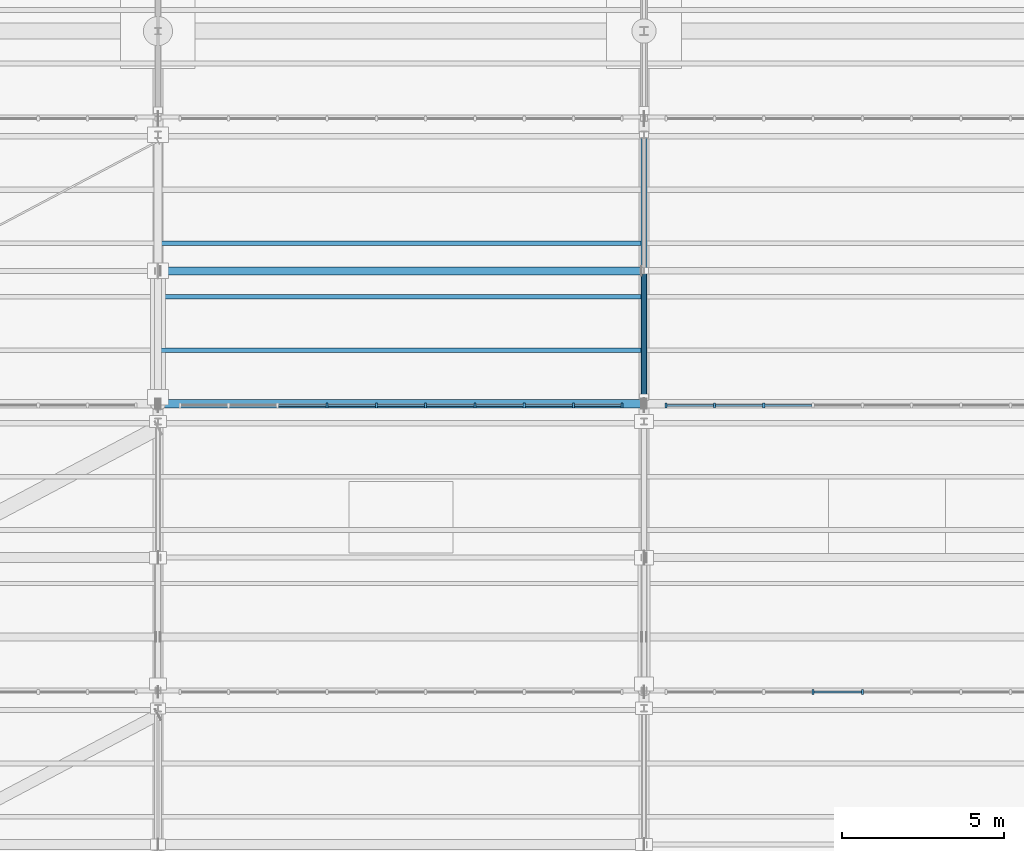
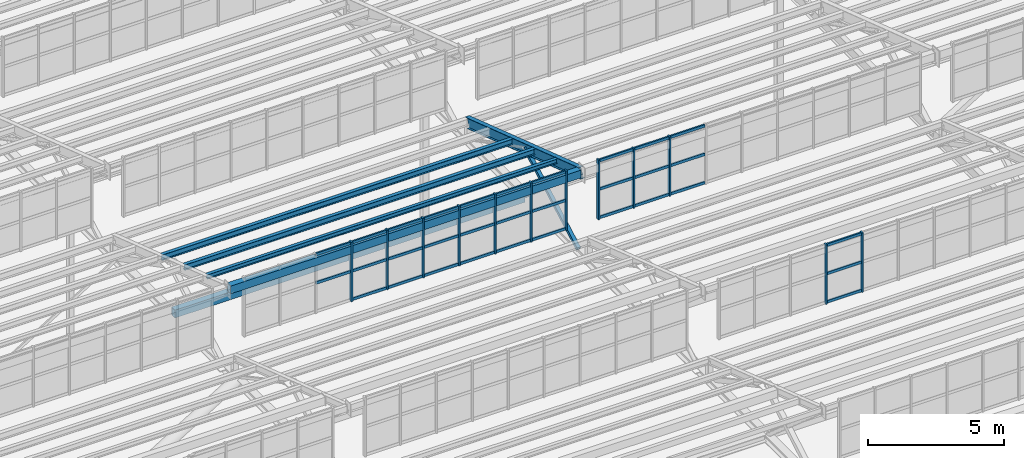
# One storey, part 77 of 285: 47 members, 5 beams, 3 elements without a shape of their own.
"""IFC4 building model written with IfcOpenShell, lengths in metres."""

from ifc_helpers import new_model, si_unit, direction, frame, origin, origin_2d, place, context, subcontext, project, spatial, rectangle, hollow_rectangle, i_section, extrude, material, material_profile, profile_set, type_object, element, aggregate, save


model = new_model("IFC4")

# Units and contexts
model_context = context("Model", 3, precision=1e-05, world=origin(), true_north=direction((0.0, 1.0)))
body_context = subcontext(model_context, "Body", "Model", "MODEL_VIEW")
ifc_project = project(units=[si_unit("LENGTHUNIT", "METRE"), si_unit("AREAUNIT", "SQUARE_METRE"), si_unit("VOLUMEUNIT", "CUBIC_METRE"), si_unit("PLANEANGLEUNIT", "RADIAN"), si_unit("MASSUNIT", "GRAM", prefix="KILO")], contexts=[model_context])

# Site, building, storey
site_placement = place(None, origin())
site = spatial("IfcSite", under=ifc_project, at=site_placement, CompositionType="ELEMENT")
building_placement = place(site_placement, origin())
building = spatial("IfcBuilding", under=site, at=building_placement, Name="Solanera Park Tramway Depot", CompositionType="ELEMENT")
storey_placement = place(building_placement, origin())
storey = spatial("IfcBuildingStorey", under=building, at=storey_placement, Name="L00", CompositionType="ELEMENT", Elevation=0.0)

# Curtain wall, members
ifc_material_1 = material(Name="Bronze-anodised thermally broken aluminium curtain wall", Category="aluminium")
curtain_wall_type = type_object("IfcCurtainWallType", Name="Sawtooth Clerestory Monitor Curtain Wall", PredefinedType="NOTDEFINED", material=ifc_material_1)
curtain_wall_1_placement = place(storey_placement, origin())
curtain_wall_1 = element("IfcCurtainWall", 1, at=curtain_wall_1_placement, inside=storey, type_object=curtain_wall_type, Name="L00 Sawtooth Clerestory Monitor Curtain Wall #008", PredefinedType="NOTDEFINED")
ifc_material_2 = material(Name="Bronze-anodised structural aluminium 6063-T6", Category="aluminium")
ifc_material_profile_1 = material_profile(ifc_material_2, rectangle(XDim=0.06494140625, YDim=0.14990234375, at=origin_2d()), Name="Curtain Wall Mullion 65x150")
ifc_profile_set_1 = profile_set([ifc_material_profile_1], Name="Bronze-anodised structural aluminium 6063-T6")
member_type_1 = type_object("IfcMemberType", Name="Curtain Wall Mullion 65x150", PredefinedType="MULLION", material=ifc_profile_set_1)
member_1_placement = place(storey_placement, frame((80.216796875, 64.60009765625, 7.75), z_axis=(0.0, 0.0, 1.0), x_axis=(1.0, 0.0, 0.0)))
member_1 = element("IfcMember", 2, at=member_1_placement, type_object=member_type_1, Name="CW-L00-008 Mullion 4", PredefinedType="MULLION", context=body_context, shape_type="SweptSolid", body=[
    extrude(rectangle(XDim=0.06494140625, YDim=0.14990234375, at=origin_2d()), origin(), (0.0, 0.0, 1.0), 2.6611328125),
])
member_2_placement = place(storey_placement, frame((81.739013671875, 64.60009765625, 7.75), z_axis=(0.0, 0.0, 1.0), x_axis=(1.0, 0.0, 0.0)))
member_2 = element("IfcMember", 3, at=member_2_placement, type_object=member_type_1, Name="CW-L00-008 Mullion 5", PredefinedType="MULLION", context=body_context, shape_type="SweptSolid", body=[
    extrude(rectangle(XDim=0.06494140625, YDim=0.14990234375, at=origin_2d()), origin(), (0.0, 0.0, 1.0), 2.6611328125),
])

curtain_wall_2_placement = place(storey_placement, origin())
curtain_wall_2 = element("IfcCurtainWall", 4, at=curtain_wall_2_placement, inside=storey, type_object=curtain_wall_type, Name="L00 Sawtooth Clerestory Monitor Curtain Wall #015", PredefinedType="NOTDEFINED")
member_3_placement = place(storey_placement, frame((65.216796875, 73.449951171875, 7.75), z_axis=(0.0, 0.0, 1.0), x_axis=(1.0, 0.0, 0.0)))
member_3 = element("IfcMember", 5, at=member_3_placement, type_object=member_type_1, Name="CW-L00-015 Mullion 4", PredefinedType="MULLION", context=body_context, shape_type="SweptSolid", body=[
    extrude(rectangle(XDim=0.06494140625, YDim=0.14990234375, at=origin_2d()), origin(), (0.0, 0.0, 1.0), 2.6611328125),
])
member_4_placement = place(storey_placement, frame((66.739013671875, 73.449951171875, 7.75), z_axis=(0.0, 0.0, 1.0), x_axis=(1.0, 0.0, 0.0)))
member_4 = element("IfcMember", 6, at=member_4_placement, type_object=member_type_1, Name="CW-L00-015 Mullion 5", PredefinedType="MULLION", context=body_context, shape_type="SweptSolid", body=[
    extrude(rectangle(XDim=0.06494140625, YDim=0.14990234375, at=origin_2d()), origin(), (0.0, 0.0, 1.0), 2.6611328125),
])
member_5_placement = place(storey_placement, frame((68.260986328125, 73.449951171875, 7.75), z_axis=(0.0, 0.0, 1.0), x_axis=(1.0, 0.0, 0.0)))
member_5 = element("IfcMember", 7, at=member_5_placement, type_object=member_type_1, Name="CW-L00-015 Mullion 6", PredefinedType="MULLION", context=body_context, shape_type="SweptSolid", body=[
    extrude(rectangle(XDim=0.06494140625, YDim=0.14990234375, at=origin_2d()), origin(), (0.0, 0.0, 1.0), 2.6611328125),
])
member_6_placement = place(storey_placement, frame((69.783203125, 73.449951171875, 7.75), z_axis=(0.0, 0.0, 1.0), x_axis=(1.0, 0.0, 0.0)))
member_6 = element("IfcMember", 8, at=member_6_placement, type_object=member_type_1, Name="CW-L00-015 Mullion 7", PredefinedType="MULLION", context=body_context, shape_type="SweptSolid", body=[
    extrude(rectangle(XDim=0.06494140625, YDim=0.14990234375, at=origin_2d()), origin(), (0.0, 0.0, 1.0), 2.6611328125),
])
member_7_placement = place(storey_placement, frame((71.3056640625, 73.449951171875, 7.75), z_axis=(0.0, 0.0, 1.0), x_axis=(1.0, 0.0, 0.0)))
member_7 = element("IfcMember", 9, at=member_7_placement, type_object=member_type_1, Name="CW-L00-015 Mullion 8", PredefinedType="MULLION", context=body_context, shape_type="SweptSolid", body=[
    extrude(rectangle(XDim=0.06494140625, YDim=0.14990234375, at=origin_2d()), origin(), (0.0, 0.0, 1.0), 2.6611328125),
])
member_8_placement = place(storey_placement, frame((72.827880859375, 73.449951171875, 7.75), z_axis=(0.0, 0.0, 1.0), x_axis=(1.0, 0.0, 0.0)))
member_8 = element("IfcMember", 10, at=member_8_placement, type_object=member_type_1, Name="CW-L00-015 Mullion 9", PredefinedType="MULLION", context=body_context, shape_type="SweptSolid", body=[
    extrude(rectangle(XDim=0.06494140625, YDim=0.14990234375, at=origin_2d()), origin(), (0.0, 0.0, 1.0), 2.6611328125),
])
member_9_placement = place(storey_placement, frame((74.3173828125, 73.449951171875, 7.75), z_axis=(0.0, 0.0, 1.0), x_axis=(1.0, 0.0, 0.0)))
member_9 = element("IfcMember", 11, at=member_9_placement, type_object=member_type_1, Name="CW-L00-015 Mullion 10", PredefinedType="MULLION", context=body_context, shape_type="SweptSolid", body=[
    extrude(rectangle(XDim=0.06494140625, YDim=0.14990234375, at=origin_2d()), origin(), (0.0, 0.0, 1.0), 2.6611328125),
])

curtain_wall_3_placement = place(storey_placement, origin())
curtain_wall_3 = element("IfcCurtainWall", 12, at=curtain_wall_3_placement, inside=storey, type_object=curtain_wall_type, Name="L00 Sawtooth Clerestory Monitor Curtain Wall #016", PredefinedType="NOTDEFINED")
member_10_placement = place(storey_placement, frame((75.6826171875, 73.449951171875, 7.75), z_axis=(0.0, 0.0, 1.0), x_axis=(1.0, 0.0, 0.0)))
member_10 = element("IfcMember", 13, at=member_10_placement, type_object=member_type_1, Name="CW-L00-016 Mullion 1", PredefinedType="MULLION", context=body_context, shape_type="SweptSolid", body=[
    extrude(rectangle(XDim=0.06494140625, YDim=0.14990234375, at=origin_2d()), origin(), (0.0, 0.0, 1.0), 2.6611328125),
])
member_11_placement = place(storey_placement, frame((77.172119140625, 73.449951171875, 7.75), z_axis=(0.0, 0.0, 1.0), x_axis=(1.0, 0.0, 0.0)))
member_11 = element("IfcMember", 14, at=member_11_placement, type_object=member_type_1, Name="CW-L00-016 Mullion 2", PredefinedType="MULLION", context=body_context, shape_type="SweptSolid", body=[
    extrude(rectangle(XDim=0.06494140625, YDim=0.14990234375, at=origin_2d()), origin(), (0.0, 0.0, 1.0), 2.6611328125),
])
member_12_placement = place(storey_placement, frame((78.6943359375, 73.449951171875, 7.75), z_axis=(0.0, 0.0, 1.0), x_axis=(1.0, 0.0, 0.0)))
member_12 = element("IfcMember", 15, at=member_12_placement, type_object=member_type_1, Name="CW-L00-016 Mullion 3", PredefinedType="MULLION", context=body_context, shape_type="SweptSolid", body=[
    extrude(rectangle(XDim=0.06494140625, YDim=0.14990234375, at=origin_2d()), origin(), (0.0, 0.0, 1.0), 2.6611328125),
])

# Member
ifc_material_3 = material(Name="Bronze-anodised structural aluminium 6063-T6", Category="aluminium")
ifc_material_profile_2 = material_profile(ifc_material_3, rectangle(XDim=0.06494140625, YDim=0.1201171875, at=origin_2d()), Name="Curtain Wall Transom 65x120")
ifc_profile_set_2 = profile_set([ifc_material_profile_2], Name="Bronze-anodised structural aluminium 6063-T6")
member_type_2 = type_object("IfcMemberType", Name="Curtain Wall Transom 65x120", PredefinedType="USERDEFINED", material=ifc_profile_set_2)
member_13_placement = place(storey_placement, frame((80.24462890625, 64.60009765625, 7.81005859375), z_axis=(1.0, 0.0, 0.0), x_axis=(0.0, 1.0, 0.0)))
member_13 = element("IfcMember", 16, at=member_13_placement, type_object=member_type_2, Name="CW-L00-008 Transom R1.C4", ObjectType="TRANSOM", PredefinedType="USERDEFINED", context=body_context, shape_type="SweptSolid", body=[
    extrude(rectangle(XDim=0.06494140625, YDim=0.1201171875, at=origin_2d()), origin(), (0.0, 0.0, 1.0), 1.46630859375),
])

member_14_placement = place(storey_placement, frame((80.24462890625, 64.60009765625, 9.08056640625), z_axis=(1.0, 0.0, 0.0), x_axis=(0.0, 1.0, 0.0)))
member_14 = element("IfcMember", 17, at=member_14_placement, type_object=member_type_2, Name="CW-L00-008 Transom R2.C4", ObjectType="TRANSOM", PredefinedType="USERDEFINED", context=body_context, shape_type="SweptSolid", body=[
    extrude(rectangle(XDim=0.06494140625, YDim=0.1201171875, at=origin_2d()), origin(), (0.0, 0.0, 1.0), 1.46630859375),
])

member_15_placement = place(storey_placement, frame((80.24462890625, 64.60009765625, 10.351318359375), z_axis=(1.0, 0.0, 0.0), x_axis=(0.0, 1.0, 0.0)))
member_15 = element("IfcMember", 18, at=member_15_placement, type_object=member_type_2, Name="CW-L00-008 Transom R3.C4", ObjectType="TRANSOM", PredefinedType="USERDEFINED", context=body_context, shape_type="SweptSolid", body=[
    extrude(rectangle(XDim=0.06494140625, YDim=0.1201171875, at=origin_2d()), origin(), (0.0, 0.0, 1.0), 1.46630859375),
])

aggregate(curtain_wall_1, [member_1, member_2, member_13, member_14, member_15])

member_16_placement = place(storey_placement, frame((65.24462890625, 73.449951171875, 7.81005859375), z_axis=(1.0, 0.0, 0.0), x_axis=(0.0, 1.0, 0.0)))
member_16 = element("IfcMember", 19, at=member_16_placement, type_object=member_type_2, Name="CW-L00-015 Transom R1.C4", ObjectType="TRANSOM", PredefinedType="USERDEFINED", context=body_context, shape_type="SweptSolid", body=[
    extrude(rectangle(XDim=0.06494140625, YDim=0.1201171875, at=origin_2d()), origin(), (0.0, 0.0, 1.0), 1.46630859375),
])

member_17_placement = place(storey_placement, frame((66.766845703125, 73.449951171875, 7.81005859375), z_axis=(1.0, 0.0, 0.0), x_axis=(0.0, 1.0, 0.0)))
member_17 = element("IfcMember", 20, at=member_17_placement, type_object=member_type_2, Name="CW-L00-015 Transom R1.C5", ObjectType="TRANSOM", PredefinedType="USERDEFINED", context=body_context, shape_type="SweptSolid", body=[
    extrude(rectangle(XDim=0.06494140625, YDim=0.1201171875, at=origin_2d()), origin(), (0.0, 0.0, 1.0), 1.46630859375),
])

member_18_placement = place(storey_placement, frame((68.2890625, 73.449951171875, 7.81005859375), z_axis=(1.0, 0.0, 0.0), x_axis=(0.0, 1.0, 0.0)))
member_18 = element("IfcMember", 21, at=member_18_placement, type_object=member_type_2, Name="CW-L00-015 Transom R1.C6", ObjectType="TRANSOM", PredefinedType="USERDEFINED", context=body_context, shape_type="SweptSolid", body=[
    extrude(rectangle(XDim=0.06494140625, YDim=0.1201171875, at=origin_2d()), origin(), (0.0, 0.0, 1.0), 1.46630859375),
])

member_19_placement = place(storey_placement, frame((69.811279296875, 73.449951171875, 7.81005859375), z_axis=(1.0, 0.0, 0.0), x_axis=(0.0, 1.0, 0.0)))
member_19 = element("IfcMember", 22, at=member_19_placement, type_object=member_type_2, Name="CW-L00-015 Transom R1.C7", ObjectType="TRANSOM", PredefinedType="USERDEFINED", context=body_context, shape_type="SweptSolid", body=[
    extrude(rectangle(XDim=0.06494140625, YDim=0.1201171875, at=origin_2d()), origin(), (0.0, 0.0, 1.0), 1.46630859375),
])

member_20_placement = place(storey_placement, frame((71.33349609375, 73.449951171875, 7.81005859375), z_axis=(1.0, 0.0, 0.0), x_axis=(0.0, 1.0, 0.0)))
member_20 = element("IfcMember", 23, at=member_20_placement, type_object=member_type_2, Name="CW-L00-015 Transom R1.C8", ObjectType="TRANSOM", PredefinedType="USERDEFINED", context=body_context, shape_type="SweptSolid", body=[
    extrude(rectangle(XDim=0.06494140625, YDim=0.1201171875, at=origin_2d()), origin(), (0.0, 0.0, 1.0), 1.46630859375),
])

member_21_placement = place(storey_placement, frame((72.855712890625, 73.449951171875, 7.81005859375), z_axis=(1.0, 0.0, 0.0), x_axis=(0.0, 1.0, 0.0)))
member_21 = element("IfcMember", 24, at=member_21_placement, type_object=member_type_2, Name="CW-L00-015 Transom R1.C9", ObjectType="TRANSOM", PredefinedType="USERDEFINED", context=body_context, shape_type="SweptSolid", body=[
    extrude(rectangle(XDim=0.06494140625, YDim=0.1201171875, at=origin_2d()), origin(), (0.0, 0.0, 1.0), 1.433837890625),
])

member_22_placement = place(storey_placement, frame((63.722412109375, 73.449951171875, 9.08056640625), z_axis=(1.0, 0.0, 0.0), x_axis=(0.0, 1.0, 0.0)))
member_22 = element("IfcMember", 25, at=member_22_placement, type_object=member_type_2, Name="CW-L00-015 Transom R2.C3", ObjectType="TRANSOM", PredefinedType="USERDEFINED", context=body_context, shape_type="SweptSolid", body=[
    extrude(rectangle(XDim=0.06494140625, YDim=0.1201171875, at=origin_2d()), origin(), (0.0, 0.0, 1.0), 1.46630859375),
])

member_23_placement = place(storey_placement, frame((65.24462890625, 73.449951171875, 9.08056640625), z_axis=(1.0, 0.0, 0.0), x_axis=(0.0, 1.0, 0.0)))
member_23 = element("IfcMember", 26, at=member_23_placement, type_object=member_type_2, Name="CW-L00-015 Transom R2.C4", ObjectType="TRANSOM", PredefinedType="USERDEFINED", context=body_context, shape_type="SweptSolid", body=[
    extrude(rectangle(XDim=0.06494140625, YDim=0.1201171875, at=origin_2d()), origin(), (0.0, 0.0, 1.0), 1.46630859375),
])

member_24_placement = place(storey_placement, frame((66.766845703125, 73.449951171875, 9.08056640625), z_axis=(1.0, 0.0, 0.0), x_axis=(0.0, 1.0, 0.0)))
member_24 = element("IfcMember", 27, at=member_24_placement, type_object=member_type_2, Name="CW-L00-015 Transom R2.C5", ObjectType="TRANSOM", PredefinedType="USERDEFINED", context=body_context, shape_type="SweptSolid", body=[
    extrude(rectangle(XDim=0.06494140625, YDim=0.1201171875, at=origin_2d()), origin(), (0.0, 0.0, 1.0), 1.46630859375),
])

member_25_placement = place(storey_placement, frame((68.2890625, 73.449951171875, 9.08056640625), z_axis=(1.0, 0.0, 0.0), x_axis=(0.0, 1.0, 0.0)))
member_25 = element("IfcMember", 28, at=member_25_placement, type_object=member_type_2, Name="CW-L00-015 Transom R2.C6", ObjectType="TRANSOM", PredefinedType="USERDEFINED", context=body_context, shape_type="SweptSolid", body=[
    extrude(rectangle(XDim=0.06494140625, YDim=0.1201171875, at=origin_2d()), origin(), (0.0, 0.0, 1.0), 1.46630859375),
])

member_26_placement = place(storey_placement, frame((69.811279296875, 73.449951171875, 9.08056640625), z_axis=(1.0, 0.0, 0.0), x_axis=(0.0, 1.0, 0.0)))
member_26 = element("IfcMember", 29, at=member_26_placement, type_object=member_type_2, Name="CW-L00-015 Transom R2.C7", ObjectType="TRANSOM", PredefinedType="USERDEFINED", context=body_context, shape_type="SweptSolid", body=[
    extrude(rectangle(XDim=0.06494140625, YDim=0.1201171875, at=origin_2d()), origin(), (0.0, 0.0, 1.0), 1.46630859375),
])

member_27_placement = place(storey_placement, frame((71.33349609375, 73.449951171875, 9.08056640625), z_axis=(1.0, 0.0, 0.0), x_axis=(0.0, 1.0, 0.0)))
member_27 = element("IfcMember", 30, at=member_27_placement, type_object=member_type_2, Name="CW-L00-015 Transom R2.C8", ObjectType="TRANSOM", PredefinedType="USERDEFINED", context=body_context, shape_type="SweptSolid", body=[
    extrude(rectangle(XDim=0.06494140625, YDim=0.1201171875, at=origin_2d()), origin(), (0.0, 0.0, 1.0), 1.46630859375),
])

member_28_placement = place(storey_placement, frame((72.855712890625, 73.449951171875, 9.08056640625), z_axis=(1.0, 0.0, 0.0), x_axis=(0.0, 1.0, 0.0)))
member_28 = element("IfcMember", 31, at=member_28_placement, type_object=member_type_2, Name="CW-L00-015 Transom R2.C9", ObjectType="TRANSOM", PredefinedType="USERDEFINED", context=body_context, shape_type="SweptSolid", body=[
    extrude(rectangle(XDim=0.06494140625, YDim=0.1201171875, at=origin_2d()), origin(), (0.0, 0.0, 1.0), 1.433837890625),
])

member_29_placement = place(storey_placement, frame((63.722412109375, 73.449951171875, 10.351318359375), z_axis=(1.0, 0.0, 0.0), x_axis=(0.0, 1.0, 0.0)))
member_29 = element("IfcMember", 32, at=member_29_placement, type_object=member_type_2, Name="CW-L00-015 Transom R3.C3", ObjectType="TRANSOM", PredefinedType="USERDEFINED", context=body_context, shape_type="SweptSolid", body=[
    extrude(rectangle(XDim=0.06494140625, YDim=0.1201171875, at=origin_2d()), origin(), (0.0, 0.0, 1.0), 1.46630859375),
])

member_30_placement = place(storey_placement, frame((65.24462890625, 73.449951171875, 10.351318359375), z_axis=(1.0, 0.0, 0.0), x_axis=(0.0, 1.0, 0.0)))
member_30 = element("IfcMember", 33, at=member_30_placement, type_object=member_type_2, Name="CW-L00-015 Transom R3.C4", ObjectType="TRANSOM", PredefinedType="USERDEFINED", context=body_context, shape_type="SweptSolid", body=[
    extrude(rectangle(XDim=0.06494140625, YDim=0.1201171875, at=origin_2d()), origin(), (0.0, 0.0, 1.0), 1.46630859375),
])

member_31_placement = place(storey_placement, frame((66.766845703125, 73.449951171875, 10.351318359375), z_axis=(1.0, 0.0, 0.0), x_axis=(0.0, 1.0, 0.0)))
member_31 = element("IfcMember", 34, at=member_31_placement, type_object=member_type_2, Name="CW-L00-015 Transom R3.C5", ObjectType="TRANSOM", PredefinedType="USERDEFINED", context=body_context, shape_type="SweptSolid", body=[
    extrude(rectangle(XDim=0.06494140625, YDim=0.1201171875, at=origin_2d()), origin(), (0.0, 0.0, 1.0), 1.46630859375),
])

member_32_placement = place(storey_placement, frame((68.2890625, 73.449951171875, 10.351318359375), z_axis=(1.0, 0.0, 0.0), x_axis=(0.0, 1.0, 0.0)))
member_32 = element("IfcMember", 35, at=member_32_placement, type_object=member_type_2, Name="CW-L00-015 Transom R3.C6", ObjectType="TRANSOM", PredefinedType="USERDEFINED", context=body_context, shape_type="SweptSolid", body=[
    extrude(rectangle(XDim=0.06494140625, YDim=0.1201171875, at=origin_2d()), origin(), (0.0, 0.0, 1.0), 1.46630859375),
])

member_33_placement = place(storey_placement, frame((69.811279296875, 73.449951171875, 10.351318359375), z_axis=(1.0, 0.0, 0.0), x_axis=(0.0, 1.0, 0.0)))
member_33 = element("IfcMember", 36, at=member_33_placement, type_object=member_type_2, Name="CW-L00-015 Transom R3.C7", ObjectType="TRANSOM", PredefinedType="USERDEFINED", context=body_context, shape_type="SweptSolid", body=[
    extrude(rectangle(XDim=0.06494140625, YDim=0.1201171875, at=origin_2d()), origin(), (0.0, 0.0, 1.0), 1.46630859375),
])

member_34_placement = place(storey_placement, frame((71.33349609375, 73.449951171875, 10.351318359375), z_axis=(1.0, 0.0, 0.0), x_axis=(0.0, 1.0, 0.0)))
member_34 = element("IfcMember", 37, at=member_34_placement, type_object=member_type_2, Name="CW-L00-015 Transom R3.C8", ObjectType="TRANSOM", PredefinedType="USERDEFINED", context=body_context, shape_type="SweptSolid", body=[
    extrude(rectangle(XDim=0.06494140625, YDim=0.1201171875, at=origin_2d()), origin(), (0.0, 0.0, 1.0), 1.46630859375),
])

member_35_placement = place(storey_placement, frame((72.855712890625, 73.449951171875, 10.351318359375), z_axis=(1.0, 0.0, 0.0), x_axis=(0.0, 1.0, 0.0)))
member_35 = element("IfcMember", 38, at=member_35_placement, type_object=member_type_2, Name="CW-L00-015 Transom R3.C9", ObjectType="TRANSOM", PredefinedType="USERDEFINED", context=body_context, shape_type="SweptSolid", body=[
    extrude(rectangle(XDim=0.06494140625, YDim=0.1201171875, at=origin_2d()), origin(), (0.0, 0.0, 1.0), 1.433837890625),
])

aggregate(curtain_wall_2, [member_3, member_4, member_5, member_6, member_7, member_8, member_9, member_16, member_17, member_18, member_19, member_20, member_21, member_22, member_23, member_24, member_25, member_26, member_27, member_28, member_29, member_30, member_31, member_32, member_33, member_34, member_35])

member_36_placement = place(storey_placement, frame((75.71044921875, 73.449951171875, 7.81005859375), z_axis=(1.0, 0.0, 0.0), x_axis=(0.0, 1.0, 0.0)))
member_36 = element("IfcMember", 39, at=member_36_placement, type_object=member_type_2, Name="CW-L00-016 Transom R1.C1", ObjectType="TRANSOM", PredefinedType="USERDEFINED", context=body_context, shape_type="SweptSolid", body=[
    extrude(rectangle(XDim=0.06494140625, YDim=0.1201171875, at=origin_2d()), origin(), (0.0, 0.0, 1.0), 1.433837890625),
])

member_37_placement = place(storey_placement, frame((77.2001953125, 73.449951171875, 7.81005859375), z_axis=(1.0, 0.0, 0.0), x_axis=(0.0, 1.0, 0.0)))
member_37 = element("IfcMember", 40, at=member_37_placement, type_object=member_type_2, Name="CW-L00-016 Transom R1.C2", ObjectType="TRANSOM", PredefinedType="USERDEFINED", context=body_context, shape_type="SweptSolid", body=[
    extrude(rectangle(XDim=0.06494140625, YDim=0.1201171875, at=origin_2d()), origin(), (0.0, 0.0, 1.0), 1.46630859375),
])

member_38_placement = place(storey_placement, frame((78.722412109375, 73.449951171875, 7.81005859375), z_axis=(1.0, 0.0, 0.0), x_axis=(0.0, 1.0, 0.0)))
member_38 = element("IfcMember", 41, at=member_38_placement, type_object=member_type_2, Name="CW-L00-016 Transom R1.C3", ObjectType="TRANSOM", PredefinedType="USERDEFINED", context=body_context, shape_type="SweptSolid", body=[
    extrude(rectangle(XDim=0.06494140625, YDim=0.1201171875, at=origin_2d()), origin(), (0.0, 0.0, 1.0), 1.46630859375),
])

member_39_placement = place(storey_placement, frame((75.71044921875, 73.449951171875, 9.08056640625), z_axis=(1.0, 0.0, 0.0), x_axis=(0.0, 1.0, 0.0)))
member_39 = element("IfcMember", 42, at=member_39_placement, type_object=member_type_2, Name="CW-L00-016 Transom R2.C1", ObjectType="TRANSOM", PredefinedType="USERDEFINED", context=body_context, shape_type="SweptSolid", body=[
    extrude(rectangle(XDim=0.06494140625, YDim=0.1201171875, at=origin_2d()), origin(), (0.0, 0.0, 1.0), 1.433837890625),
])

member_40_placement = place(storey_placement, frame((77.2001953125, 73.449951171875, 9.08056640625), z_axis=(1.0, 0.0, 0.0), x_axis=(0.0, 1.0, 0.0)))
member_40 = element("IfcMember", 43, at=member_40_placement, type_object=member_type_2, Name="CW-L00-016 Transom R2.C2", ObjectType="TRANSOM", PredefinedType="USERDEFINED", context=body_context, shape_type="SweptSolid", body=[
    extrude(rectangle(XDim=0.06494140625, YDim=0.1201171875, at=origin_2d()), origin(), (0.0, 0.0, 1.0), 1.46630859375),
])

member_41_placement = place(storey_placement, frame((78.722412109375, 73.449951171875, 9.08056640625), z_axis=(1.0, 0.0, 0.0), x_axis=(0.0, 1.0, 0.0)))
member_41 = element("IfcMember", 44, at=member_41_placement, type_object=member_type_2, Name="CW-L00-016 Transom R2.C3", ObjectType="TRANSOM", PredefinedType="USERDEFINED", context=body_context, shape_type="SweptSolid", body=[
    extrude(rectangle(XDim=0.06494140625, YDim=0.1201171875, at=origin_2d()), origin(), (0.0, 0.0, 1.0), 1.46630859375),
])

member_42_placement = place(storey_placement, frame((75.71044921875, 73.449951171875, 10.351318359375), z_axis=(1.0, 0.0, 0.0), x_axis=(0.0, 1.0, 0.0)))
member_42 = element("IfcMember", 45, at=member_42_placement, type_object=member_type_2, Name="CW-L00-016 Transom R3.C1", ObjectType="TRANSOM", PredefinedType="USERDEFINED", context=body_context, shape_type="SweptSolid", body=[
    extrude(rectangle(XDim=0.06494140625, YDim=0.1201171875, at=origin_2d()), origin(), (0.0, 0.0, 1.0), 1.433837890625),
])

member_43_placement = place(storey_placement, frame((77.2001953125, 73.449951171875, 10.351318359375), z_axis=(1.0, 0.0, 0.0), x_axis=(0.0, 1.0, 0.0)))
member_43 = element("IfcMember", 46, at=member_43_placement, type_object=member_type_2, Name="CW-L00-016 Transom R3.C2", ObjectType="TRANSOM", PredefinedType="USERDEFINED", context=body_context, shape_type="SweptSolid", body=[
    extrude(rectangle(XDim=0.06494140625, YDim=0.1201171875, at=origin_2d()), origin(), (0.0, 0.0, 1.0), 1.46630859375),
])

member_44_placement = place(storey_placement, frame((78.722412109375, 73.449951171875, 10.351318359375), z_axis=(1.0, 0.0, 0.0), x_axis=(0.0, 1.0, 0.0)))
member_44 = element("IfcMember", 47, at=member_44_placement, type_object=member_type_2, Name="CW-L00-016 Transom R3.C3", ObjectType="TRANSOM", PredefinedType="USERDEFINED", context=body_context, shape_type="SweptSolid", body=[
    extrude(rectangle(XDim=0.06494140625, YDim=0.1201171875, at=origin_2d()), origin(), (0.0, 0.0, 1.0), 1.46630859375),
])

aggregate(curtain_wall_3, [member_10, member_11, member_12, member_36, member_37, member_38, member_39, member_40, member_41, member_42, member_43, member_44])

# Members
ifc_material_4 = material(Name="Steel AS/NZS 1163 Grade C350L0", Category="steel")
ifc_material_profile_3 = material_profile(ifc_material_4, hollow_rectangle(XDim=0.14990234375, YDim=0.14990234375, WallThickness=0.006103515625, at=origin_2d()), Name="150x150x6.0 SHS")
ifc_profile_set_3 = profile_set([ifc_material_profile_3], Name="Steel AS/NZS 1163 Grade C350L0")
member_type_3 = type_object("IfcMemberType", Name="Roof Gantry Compression Strut 150x150x6.0 SHS", PredefinedType="STRUT", material=ifc_profile_set_3)
member_45_placement = place(storey_placement, frame((75.0, 73.699951171875, 6.5), z_axis=(0.0, 0.874087581692, 0.485768359954), x_axis=(-1.0, 0.0, 0.0)))
element("IfcMember", 48, at=member_45_placement, inside=storey, type_object=member_type_3, Name="Sawtooth ROOF TRUSS Strut 150x150x6.0 SHS #0102", PredefinedType="STRUT", context=body_context, shape_type="SweptSolid", body=[
    extrude(hollow_rectangle(XDim=0.14990234375, YDim=0.14990234375, WallThickness=0.006103515625, at=origin_2d()), origin(), (0.0, 0.0, 1.0), 4.4619140625),
])
ifc_material_5 = material(Name="Steel AS/NZS 1163 Grade C350L0", Category="steel")
ifc_material_profile_4 = material_profile(ifc_material_5, hollow_rectangle(XDim=0.25, YDim=0.35009765625, WallThickness=0.010009765625, at=origin_2d()), Name="350x250x10.0 RHS")
ifc_profile_set_4 = profile_set([ifc_material_profile_4], Name="Steel AS/NZS 1163 Grade C350L0")
member_type_4 = type_object("IfcMemberType", Name="Secondary Truss Chord 350x250x10.0 RHS", PredefinedType="CHORD", material=ifc_profile_set_4)
member_46_placement = place(storey_placement, frame((60.087890625, 77.60009765625, 6.5), z_axis=(1.0, 0.0, 0.0), x_axis=(0.0, 1.0, 0.0)))
element("IfcMember", 49, at=member_46_placement, inside=storey, type_object=member_type_4, Name="Sawtooth Longitudinal Tie Chord 350x250x10.0 RHS #0124", PredefinedType="CHORD", context=body_context, shape_type="SweptSolid", body=[
    extrude(hollow_rectangle(XDim=0.25, YDim=0.35009765625, WallThickness=0.010009765625, at=origin_2d()), origin(), (0.0, 0.0, 1.0), 14.82421875),
])

# Beams
ifc_material_6 = material(Name="Steel AS/NZS 3679.1 Grade 350", Category="steel")
ifc_material_profile_5 = material_profile(ifc_material_6, i_section(OverallWidth=0.1904296875, OverallDepth=0.45751953125, WebThickness=0.009033203125, FlangeThickness=0.014404296875, at=origin_2d()), Name="460UB74.6")
ifc_profile_set_5 = profile_set([ifc_material_profile_5], Name="Steel AS/NZS 3679.1 Grade 350")
beam_type_1 = type_object("IfcBeamType", Name="Steel Beam 460UB74.6", PredefinedType="BEAM", material=ifc_profile_set_5)
beam_1_placement = place(storey_placement, frame((75.0, 73.449951171875, 10.05615234375), z_axis=(0.0, 0.948322229475, -0.317308917435), x_axis=(-1.0, 0.0, 0.0)))
element("IfcBeam", 50, at=beam_1_placement, inside=storey, type_object=beam_type_1, Name="Sawtooth ROOF TRUSS Top Rafter 460UB74.6 B03-T6", PredefinedType="BEAM", context=body_context, shape_type="SweptSolid", body=[
    extrude(i_section(OverallWidth=0.1904296875, OverallDepth=0.45751953125, WebThickness=0.009033203125, FlangeThickness=0.014404296875, at=origin_2d()), origin(), (0.0, 0.0, 1.0), 8.80517578125),
])
ifc_material_7 = material(Name="Steel AS/NZS 3679.1 Grade 350", Category="steel")
ifc_material_profile_6 = material_profile(ifc_material_7, i_section(OverallWidth=0.13330078125, OverallDepth=0.203125, WebThickness=0.005859375, FlangeThickness=0.0078125, at=origin_2d()), Name="200UB25.4")
ifc_profile_set_6 = profile_set([ifc_material_profile_6], Name="Steel AS/NZS 3679.1 Grade 350")
beam_type_2 = type_object("IfcBeamType", Name="Steel Joist Purlin 200UB25.4", PredefinedType="JOIST", material=ifc_profile_set_6)
beam_2_placement = place(storey_placement, frame((60.080810546875, 75.14990234375, 9.614013671875), z_axis=(1.0, 0.0, 0.0), x_axis=(0.0, 1.0, 0.0)))
element("IfcBeam", 51, at=beam_2_placement, inside=storey, type_object=beam_type_2, Name="Sawtooth Roof Purlin 200UB25.4 B03.2", PredefinedType="JOIST", context=body_context, shape_type="SweptSolid", body=[
    extrude(i_section(OverallWidth=0.13330078125, OverallDepth=0.203125, WebThickness=0.005859375, FlangeThickness=0.0078125, at=origin_2d()), origin(), (0.0, 0.0, 1.0), 14.83203125),
])
ifc_material_8 = material(Name="Steel AS/NZS 3679.1 Grade 350", Category="steel")
ifc_material_profile_7 = material_profile(ifc_material_8, i_section(OverallWidth=0.14599609375, OverallDepth=0.251708984375, WebThickness=0.006103515625, FlangeThickness=0.008544921875, at=origin_2d()), Name="250UB31.4")
ifc_profile_set_7 = profile_set([ifc_material_profile_7], Name="Steel AS/NZS 3679.1 Grade 350")
beam_type_3 = type_object("IfcBeamType", Name="Steel Joist Purlin 250UB31.4", PredefinedType="JOIST", material=ifc_profile_set_7)
beam_3_placement = place(storey_placement, frame((60.080810546875, 76.800048828125, 9.03564453125), z_axis=(1.0, 0.0, 0.0), x_axis=(0.0, 1.0, 0.0)))
element("IfcBeam", 52, at=beam_3_placement, inside=storey, type_object=beam_type_3, Name="Sawtooth Roof Purlin 250UB31.4 B03.3", PredefinedType="JOIST", context=body_context, shape_type="SweptSolid", body=[
    extrude(i_section(OverallWidth=0.14599609375, OverallDepth=0.251708984375, WebThickness=0.006103515625, FlangeThickness=0.008544921875, at=origin_2d()), origin(), (0.0, 0.0, 1.0), 14.83203125),
])
ifc_material_9 = material(Name="Steel AS/NZS 3679.1 Grade 350", Category="steel")
ifc_material_profile_8 = material_profile(ifc_material_9, i_section(OverallWidth=0.146484375, OverallDepth=0.256103515625, WebThickness=0.00634765625, FlangeThickness=0.010986328125, at=origin_2d()), Name="250UB37.3")
ifc_profile_set_8 = profile_set([ifc_material_profile_8], Name="Steel AS/NZS 3679.1 Grade 350")
beam_type_4 = type_object("IfcBeamType", Name="Steel Joist Purlin 250UB37.3", PredefinedType="JOIST", material=ifc_profile_set_8)
beam_4_placement = place(storey_placement, frame((60.080810546875, 78.449951171875, 8.481201171875), z_axis=(1.0, 0.0, 0.0), x_axis=(0.0, 1.0, 0.0)))
element("IfcBeam", 53, at=beam_4_placement, inside=storey, type_object=beam_type_4, Name="Sawtooth Roof Purlin 250UB37.3 B03.4", PredefinedType="JOIST", context=body_context, shape_type="SweptSolid", body=[
    extrude(i_section(OverallWidth=0.146484375, OverallDepth=0.256103515625, WebThickness=0.00634765625, FlangeThickness=0.010986328125, at=origin_2d()), origin(), (0.0, 0.0, 1.0), 14.83203125),
])
ifc_material_10 = material(Name="Steel AS/NZS 1163 Grade C350L0", Category="steel")
ifc_material_profile_9 = material_profile(ifc_material_10, hollow_rectangle(XDim=0.25, YDim=0.35009765625, WallThickness=0.010009765625, at=origin_2d()), Name="350x250x10.0 RHS")
ifc_profile_set_9 = profile_set([ifc_material_profile_9], Name="Steel AS/NZS 1163 Grade C350L0")
beam_type_5 = type_object("IfcBeamType", Name="Steel Joist Purlin 350x250x10.0 RHS", PredefinedType="JOIST", material=ifc_profile_set_9)
beam_5_placement = place(storey_placement, frame((60.080810546875, 73.5, 10.0732421875), z_axis=(1.0, 0.0, 0.0), x_axis=(0.0, 1.0, 0.0)))
element("IfcBeam", 54, at=beam_5_placement, inside=storey, type_object=beam_type_5, Name="Sawtooth Roof Purlin 350x250x10.0 RHS B03.1", PredefinedType="JOIST", context=body_context, shape_type="SweptSolid", body=[
    extrude(hollow_rectangle(XDim=0.25, YDim=0.35009765625, WallThickness=0.010009765625, at=origin_2d()), origin(), (0.0, 0.0, 1.0), 14.83203125),
])

# Member
ifc_material_11 = material(Name="Steel AS/NZS 1163 Grade C350L0", Category="steel")
ifc_material_profile_10 = material_profile(ifc_material_11, hollow_rectangle(XDim=0.050048828125, YDim=0.14990234375, WallThickness=0.0048828125, at=origin_2d()), Name="150x50x5.0 RHS")
ifc_profile_set_10 = profile_set([ifc_material_profile_10], Name="Steel AS/NZS 1163 Grade C350L0")
member_type_5 = type_object("IfcMemberType", Name="Truss and Frame Brace 150x50x5.0 RHS", PredefinedType="BRACE", material=ifc_profile_set_10)
member_47_placement = place(storey_placement, frame((75.0, 77.60009765625, 6.5), z_axis=(0.0, -0.759357496503, 0.650673645159), x_axis=(1.0, 0.0, 0.0)))
element("IfcMember", 55, at=member_47_placement, inside=storey, type_object=member_type_5, Name="Sawtooth ROOF TRUSS Web Brace 150x50x5.0 RHS #0100", PredefinedType="BRACE", context=body_context, shape_type="SweptSolid", body=[
    extrude(hollow_rectangle(XDim=0.050048828125, YDim=0.14990234375, WallThickness=0.0048828125, at=origin_2d()), origin(), (0.0, 0.0, 1.0), 5.46533203125),
])

save(model, "model.ifc")
